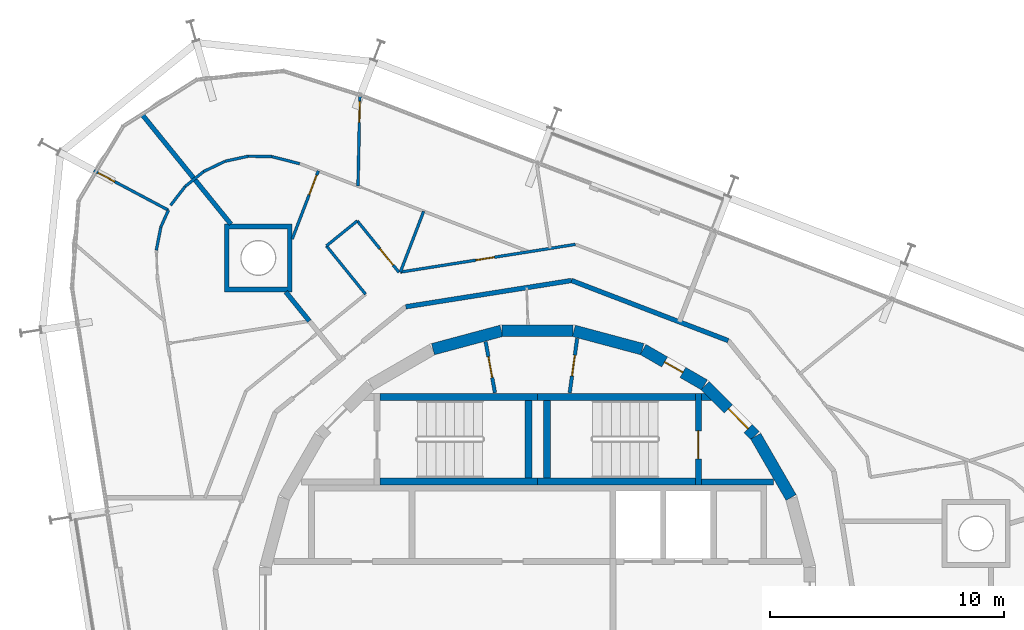
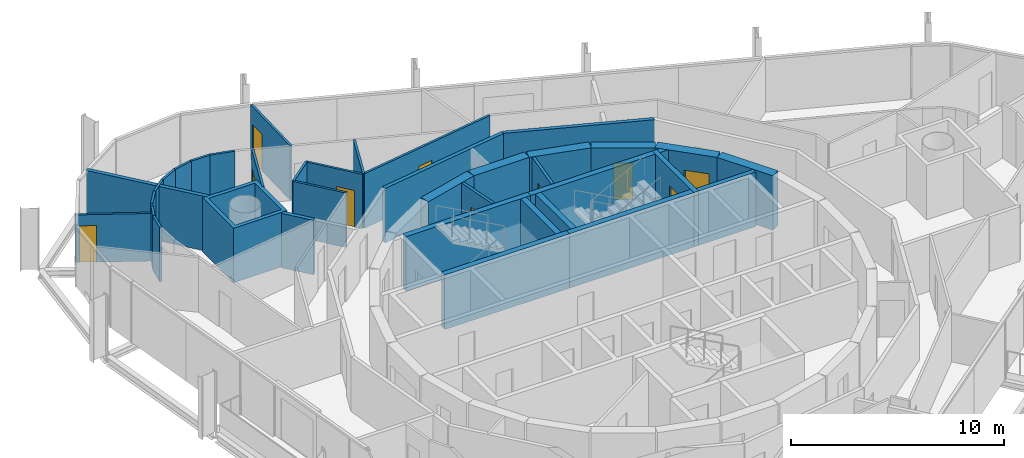
# One storey, part 15 of 17: 38 walls, 10 doors, 10 openings.
"""IFC4 building model written with IfcOpenShell, lengths in metres."""

import ifcopenshell
import ifcopenshell.guid

model = None  # the IFC model being written
_history = None  # IfcOwnerHistory: only IFC2X3 demands one
_inside = {}  # id of a spatial element -> (the spatial element, [elements in it])
_under = {}  # id of a project, library or spatial element -> (it, [spatial elements below it])
_declared = {}  # id of a project -> (the project, [libraries it declares])
_typed = {}  # id of a type object -> (the type object, [elements of that type])
_made_of = {}  # id of a material, layer set ... -> (it, [elements and type objects made of it])


def new_model(schema):
    """Start an empty IFC model of exactly this schema.

    Asked for "IFC4X3", IfcOpenShell would pick the latest addendum, in which some entities
    have other attributes; the version numbers below select the first issue.
    IFC2X3 requires an IfcOwnerHistory on every rooted entity: one is made here for all.
    """
    global model, _history
    if schema == "IFC4X3":
        model = ifcopenshell.file(schema_version=(4, 3, 0, 0))
    else:
        model = ifcopenshell.file(schema=schema)
    _inside.clear()
    _under.clear()
    _declared.clear()
    _typed.clear()
    _made_of.clear()
    _history = None
    if model.schema == "IFC2X3":
        org = make("IfcOrganization", Name="unknown")
        user = make(
            "IfcPersonAndOrganization",
            ThePerson=make("IfcPerson", FamilyName="unknown"),
            TheOrganization=org,
        )
        app = make(
            "IfcApplication",
            ApplicationDeveloper=org,
            Version="unknown",
            ApplicationFullName="unknown",
            ApplicationIdentifier="unknown",
        )
        _history = make(
            "IfcOwnerHistory",
            OwningUser=user,
            OwningApplication=app,
            ChangeAction="ADDED",
            CreationDate=0,
        )
    return model


def make(cls, **values):
    """One entity of the class cls with the attributes given. An attribute that is None is left unset."""
    return model.create_entity(
        cls, **{name: value for name, value in values.items() if value is not None}
    )


def rooted(cls, **values):
    """An entity with a GlobalId (a new one), such as an element, a storey or a relation."""
    return make(cls, GlobalId=ifcopenshell.guid.new(), OwnerHistory=_history, **values)


def si_unit(unit_type, name, prefix=None):
    """IfcSIUnit, for example si_unit("LENGTHUNIT", "METRE", prefix="MILLI")."""
    return make("IfcSIUnit", UnitType=unit_type, Prefix=prefix, Name=name)


def assignment(units):
    """IfcUnitAssignment: the units of a project."""
    return None if units is None else make("IfcUnitAssignment", Units=units)


def point(xyz):
    """IfcCartesianPoint."""
    return None if xyz is None else make("IfcCartesianPoint", Coordinates=xyz)


def direction(xyz):
    """IfcDirection."""
    return None if xyz is None else make("IfcDirection", DirectionRatios=xyz)


def frame(location, z_axis=None, x_axis=None):
    """IfcAxis2Placement3D, a coordinate frame: its origin and axes. An axis left out is left unset."""
    return make(
        "IfcAxis2Placement3D",
        Location=point(location),
        Axis=direction(z_axis),
        RefDirection=direction(x_axis),
    )


def frame_2d(location, x_axis=None):
    """IfcAxis2Placement2D, a coordinate frame in the plane: its origin and x axis."""
    return make(
        "IfcAxis2Placement2D", Location=point(location), RefDirection=direction(x_axis)
    )


def origin():
    """The frame at (0, 0, 0) with its axes left unset."""
    return frame((0.0, 0.0, 0.0))


def place(relative_to, where):
    """IfcLocalPlacement: puts the frame where relative to a parent placement (None: the world)."""
    return make(
        "IfcLocalPlacement", PlacementRelTo=relative_to, RelativePlacement=where
    )


def context(
    kind, dimensions, precision=None, world=None, true_north=None, identifier=None
):
    """IfcGeometricRepresentationContext, for example the 3D "Model" context."""
    return make(
        "IfcGeometricRepresentationContext",
        ContextIdentifier=identifier,
        ContextType=kind,
        CoordinateSpaceDimension=dimensions,
        Precision=precision,
        WorldCoordinateSystem=world,
        TrueNorth=true_north,
    )


def subcontext(parent, identifier, kind, view, scale=None):
    """IfcGeometricRepresentationSubContext, for example "Body" below "Model"."""
    return make(
        "IfcGeometricRepresentationSubContext",
        ContextIdentifier=identifier,
        ContextType=kind,
        ParentContext=parent,
        TargetScale=scale,
        TargetView=view,
    )


def project(units=None, contexts=None):
    """IfcProject with its units and contexts."""
    return rooted(
        "IfcProject",
        Name="project",
        RepresentationContexts=contexts,
        UnitsInContext=assignment(units),
    )


def spatial(cls, under=None, at=None, **own):
    """A site, building, storey or space (cls), placed at a placement, below another one or the project."""
    s = rooted(cls, ObjectPlacement=at, **own)
    if under is not None:
        _under.setdefault(under.id(), (under, []))[1].append(s)
    return s


def polyline(points):
    """IfcPolyline through the points."""
    return make("IfcPolyline", Points=[point(p) for p in points])


def profile(cls, at=None, kind="AREA", **sizes):
    """A parametric profile (cls). Its sizes go by their IFC names, for example OverallWidth=200.0."""
    return make(cls, ProfileType=kind, Position=at, **sizes)


def rectangle(**sizes):
    """IfcRectangleProfileDef."""
    return profile("IfcRectangleProfileDef", **sizes)


def outline(outer, holes=None, kind="AREA"):
    """IfcArbitraryClosedProfileDef: a profile drawn as a closed curve; with holes, ...WithVoids."""
    if holes is None:
        return make("IfcArbitraryClosedProfileDef", ProfileType=kind, OuterCurve=outer)
    return make(
        "IfcArbitraryProfileDefWithVoids",
        ProfileType=kind,
        OuterCurve=outer,
        InnerCurves=holes,
    )


def extrude(swept, where, along, depth):
    """IfcExtrudedAreaSolid: the profile swept, set in the frame where, extruded along a direction by depth."""
    return make(
        "IfcExtrudedAreaSolid",
        SweptArea=swept,
        Position=where,
        ExtrudedDirection=direction(along),
        Depth=depth,
    )


def shape(context_of_items, identifier, shape_type, items):
    """IfcShapeRepresentation: the items that make up one representation, for example the "Body"."""
    return make(
        "IfcShapeRepresentation",
        ContextOfItems=context_of_items,
        RepresentationIdentifier=identifier,
        RepresentationType=shape_type,
        Items=items,
    )


def material(Name=None, Category=None):
    """IfcMaterial."""
    return make("IfcMaterial", Name=Name, Category=Category)


def layer(
    of_material, thickness, ventilated=None, Name=None, Category=None, Priority=None
):
    """IfcMaterialLayer: one layer of a wall or slab, of a material (None: an air gap)."""
    return make(
        "IfcMaterialLayer",
        Material=of_material,
        LayerThickness=thickness,
        IsVentilated=ventilated,
        Name=Name,
        Category=Category,
        Priority=Priority,
    )


def layer_set(layers, Name=None):
    """IfcMaterialLayerSet."""
    return make("IfcMaterialLayerSet", MaterialLayers=layers, LayerSetName=Name)


def made_of(thing, what):
    """Note that an element or type object is made of a material, layer set ...; save() writes the relation."""
    if what is not None:
        _made_of.setdefault(what.id(), (what, []))[1].append(thing)
    return thing


def type_object(cls, material=None, **own):
    """A type object (cls), such as IfcWallType, which elements share."""
    return made_of(rooted(cls, **own), material)


def element(
    cls,
    number,
    at=None,
    inside=None,
    cuts=None,
    type_object=None,
    material=None,
    context=None,
    identifier="Body",
    shape_type=None,
    held_by="IfcProductDefinitionShape",
    body=None,
    shapes=None,
    **own,
):
    """One element of the class cls, such as IfcWall. Its Tag is "e" and its number.

    at: its placement. inside: the storey or other place that contains it. cuts: it is an
    opening in that element (IfcRelVoidsElement). A single representation is given by context,
    identifier, shape_type and body (its items); several are given by shapes. held_by: the class
    of the entity that holds the representations. save() writes the other relations.
    """
    e = rooted(cls, Tag="e%d" % number, ObjectPlacement=at, **own)
    if body is not None:
        shapes = [shape(context, identifier, shape_type, body)]
    if shapes is not None:
        e.Representation = make(held_by, Representations=shapes)
    if inside is not None:
        _inside.setdefault(inside.id(), (inside, []))[1].append(e)
    if cuts is not None:
        rooted(
            "IfcRelVoidsElement", RelatingBuildingElement=cuts, RelatedOpeningElement=e
        )
    if type_object is not None:
        _typed.setdefault(type_object.id(), (type_object, []))[1].append(e)
    return made_of(e, material)


def fill(opening, filler):
    """IfcRelFillsElement: the door or window that sits in an opening."""
    return rooted(
        "IfcRelFillsElement",
        RelatingOpeningElement=opening,
        RelatedBuildingElement=filler,
    )


def aggregate(whole, parts):
    """IfcRelAggregates: a whole, such as a stair, and the parts it consists of."""
    return rooted("IfcRelAggregates", RelatingObject=whole, RelatedObjects=parts)


def save(model, path):
    """Write the relations noted so far, then the file.

    IfcRelAggregates (storeys below a building ...), IfcRelContainedInSpatialStructure (elements
    in a storey), IfcRelDefinesByType, IfcRelAssociatesMaterial and IfcRelDeclares: one each for
    every whole, place, type object, material and project.
    """
    for whole, parts in _under.values():
        aggregate(whole, parts)
    for where, things in _inside.values():
        rooted(
            "IfcRelContainedInSpatialStructure",
            RelatedElements=things,
            RelatingStructure=where,
        )
    for kind, things in _typed.values():
        rooted("IfcRelDefinesByType", RelatedObjects=things, RelatingType=kind)
    for what, things in _made_of.values():
        rooted("IfcRelAssociatesMaterial", RelatedObjects=things, RelatingMaterial=what)
    for by, libraries in _declared.values():
        rooted("IfcRelDeclares", RelatingContext=by, RelatedDefinitions=libraries)
    model.write(path)


model = new_model("IFC4")

# Units and contexts
model_context = context("Model", 3, precision=1e-05, world=origin(), true_north=direction((0.0, 1.0)))
body_context = subcontext(model_context, "Body", "Model", "MODEL_VIEW")
ifc_project = project(units=[si_unit("LENGTHUNIT", "METRE"), si_unit("AREAUNIT", "SQUARE_METRE"), si_unit("VOLUMEUNIT", "CUBIC_METRE"), si_unit("PLANEANGLEUNIT", "RADIAN"), si_unit("MASSUNIT", "GRAM", prefix="KILO")], contexts=[model_context])

# Site, building, storey
site_placement = place(None, origin())
site = spatial("IfcSite", under=ifc_project, at=site_placement, CompositionType="ELEMENT")
building_placement = place(site_placement, origin())
building = spatial("IfcBuilding", under=site, at=building_placement, Name="Spindle Arch Residences", CompositionType="ELEMENT")
storey_placement = place(building_placement, frame((0.0, 0.0, 284.39990234375)))
storey = spatial("IfcBuildingStorey", under=building, at=storey_placement, Name="L73", CompositionType="ELEMENT", Elevation=284.39990234375)

# Wall
ifc_material_1 = material(Name="Concrete C50/60", Category="concrete")
ifc_layer_1 = layer(ifc_material_1, 0.5)
ifc_layer_set_1 = layer_set([ifc_layer_1], Name="Core outline wall 500")
wall_type_1 = type_object("IfcWallType", Name="Core outline wall 500", PredefinedType="SHEAR", material=ifc_layer_set_1)
wall_1_placement = place(storey_placement, frame((10.84521484375, 4.510498046875, 0.0), z_axis=(0.0, 0.0, 1.0), x_axis=(-0.500087131594, 0.865975092491, 0.0)))
element("IfcWall", 1, at=wall_1_placement, inside=storey, type_object=wall_type_1, Name="Core outline wall 8", PredefinedType="SHEAR", context=body_context, shape_type="SweptSolid", body=[
    extrude(rectangle(XDim=3.03271484375, YDim=0.5, at=frame_2d((1.516357421875, 0.0))), origin(), (0.0, 0.0, 1.0), 3.1201171875),
])

# Wall, opening, door
wall_2_placement = place(storey_placement, frame((9.30810546875, 7.163818359375, 0.0), z_axis=(0.0, 0.0, 1.0), x_axis=(-0.707106781187, 0.707106781187, 0.0)))
wall_2 = element("IfcWall", 2, at=wall_2_placement, inside=storey, type_object=wall_type_1, Name="Core outline wall 9", PredefinedType="SHEAR", context=body_context, shape_type="SweptSolid", body=[
    extrude(rectangle(XDim=3.032470703125, YDim=0.5, at=frame_2d((1.51611328125, 0.0))), origin(), (0.0, 0.0, 1.0), 3.1201171875),
])
opening_1_placement = place(wall_2_placement, frame((0.416259765625, 0.0, 0.0)))
opening_1 = element("IfcOpeningElement", 3, at=opening_1_placement, cuts=wall_2, Name="Opening R7C0-AD01", PredefinedType="OPENING", context=body_context, shape_type="SweptSolid", body=[
    extrude(rectangle(XDim=1.199951171875, YDim=2.10009765625, at=frame_2d((0.60009765625, 1.050048828125))), frame((0.0, 0.260009765625, 0.0), z_axis=(0.0, -1.0, 0.0), x_axis=(1.0, 0.0, 0.0)), (0.0, 0.0, 1.0), 0.52001953125),
])
ifc_material_2 = material(Name="Steel, fire-resisting door", Category="steel")
door_type_1 = type_object("IfcDoorType", Name="Stair airlock door 1200x2100", OperationType="SINGLE_SWING_LEFT", PredefinedType="DOOR", material=ifc_material_2)
door_1_placement = place(opening_1_placement, origin())
door_1 = element("IfcDoor", 4, at=door_1_placement, inside=storey, type_object=door_type_1, Name="Stair airlock door R7C0-AD01", OperationType="SINGLE_SWING_RIGHT", OverallHeight=2.10009765625, OverallWidth=1.199951171875, PredefinedType="DOOR", context=body_context, shape_type="SweptSolid", body=[
    extrude(rectangle(XDim=1.199951171875, YDim=2.10009765625, at=frame_2d((0.60009765625, 1.050048828125))), frame((0.0, 0.02490234375, 0.0), z_axis=(0.0, -1.0, 0.0), x_axis=(1.0, 0.0, 0.0)), (0.0, 0.0, 1.0), 0.050048828125),
])
fill(opening_1, door_1)

wall_3_placement = place(storey_placement, frame((7.13671875, 9.32861328125, 0.0), z_axis=(0.0, 0.0, 1.0), x_axis=(-0.865975092491, 0.500087131594, 0.0)))
wall_3 = element("IfcWall", 5, at=wall_3_placement, inside=storey, type_object=wall_type_1, Name="Core outline wall 10", PredefinedType="SHEAR", context=body_context, shape_type="SweptSolid", body=[
    extrude(rectangle(XDim=3.03271484375, YDim=0.5, at=frame_2d((1.516357421875, 0.0))), origin(), (0.0, 0.0, 1.0), 3.1201171875),
])
opening_2_placement = place(wall_3_placement, frame((1.06640625, 0.0, 0.0)))
opening_2 = element("IfcOpeningElement", 6, at=opening_2_placement, cuts=wall_3, Name="Opening R7C0-WD11", PredefinedType="OPENING", context=body_context, shape_type="SweptSolid", body=[
    extrude(rectangle(XDim=0.89990234375, YDim=2.10009765625, at=frame_2d((0.449951171875, 1.050048828125))), frame((0.0, 0.260009765625, 0.0), z_axis=(0.0, -1.0, 0.0), x_axis=(1.0, 0.0, 0.0)), (0.0, 0.0, 1.0), 0.52001953125),
])
ifc_material_3 = material(Name="Steel, fire-resisting door", Category="steel")
door_type_2 = type_object("IfcDoorType", Name="Service room door 900x2100", OperationType="SINGLE_SWING_LEFT", PredefinedType="DOOR", material=ifc_material_3)
door_2_placement = place(opening_2_placement, origin())
door_2 = element("IfcDoor", 7, at=door_2_placement, inside=storey, type_object=door_type_2, Name="Service room door R7C0-WD11", OperationType="SINGLE_SWING_LEFT", OverallHeight=2.10009765625, OverallWidth=0.89990234375, PredefinedType="DOOR", context=body_context, shape_type="SweptSolid", body=[
    extrude(rectangle(XDim=0.89990234375, YDim=2.10009765625, at=frame_2d((0.449951171875, 1.050048828125))), frame((0.0, 0.02490234375, 0.0), z_axis=(0.0, -1.0, 0.0), x_axis=(1.0, 0.0, 0.0)), (0.0, 0.0, 1.0), 0.050048828125),
])
fill(opening_2, door_2)

# Walls
for number, where, z_axis, x_axis, name in (
    (8, (4.479248046875, 10.858154296875, 0.0), (0.0, 0.0, 1.0), (-0.965948410781, 0.258734743916, 0.0), "Core outline wall 11"),
    (9, (1.516357421875, 11.647216796875, 0.0), (0.0, 0.0, 1.0), (-1.0, 0.0, 0.0), "Core outline wall 12"),
    (10, (-1.5498046875, 11.642822265625, 0.0), (0.0, 0.0, 1.0), (-0.965948410781, -0.258734743916, 0.0), "Core outline wall 13"),
):
    element("IfcWall", number, at=place(storey_placement, frame(where, z_axis=z_axis, x_axis=x_axis)), inside=storey, type_object=wall_type_1, Name=name, PredefinedType="SHEAR", context=body_context, shape_type="SweptSolid", body=[
        extrude(rectangle(XDim=3.03271484375, YDim=0.5, at=frame_2d((1.516357421875, 0.0))), origin(), (0.0, 0.0, 1.0), 3.1201171875),
    ])
ifc_material_4 = material(Name="Calcium silicate block, plastered")
ifc_layer_2 = layer(ifc_material_4, 0.199951171875)
ifc_layer_set_2 = layer_set([ifc_layer_2], Name="Corridor wall 200")
wall_type_2 = type_object("IfcWallType", Name="Corridor wall 200", PredefinedType="STANDARD", material=ifc_layer_set_2)
wall_4_placement = place(storey_placement, frame((8.154296875, 11.223388671875, 0.0), z_axis=(0.0, 0.0, 1.0), x_axis=(-0.93359073609, 0.358341090983, 0.0)))
element("IfcWall", 11, at=wall_4_placement, inside=storey, type_object=wall_type_2, Name="Corridor wall R7C0-W007", PredefinedType="STANDARD", context=body_context, shape_type="SweptSolid", body=[
    extrude(rectangle(XDim=7.180908203125, YDim=0.199951171875, at=frame_2d((3.59033203125, 0.0))), origin(), (0.0, 0.0, 1.0), 3.1201171875),
])
wall_5_placement = place(storey_placement, frame((1.4501953125, 13.796630859375, 0.0), z_axis=(0.0, 0.0, 1.0), x_axis=(-0.987690361611, -0.156421704315, 0.0)))
element("IfcWall", 12, at=wall_5_placement, inside=storey, type_object=wall_type_2, Name="Corridor wall R7C0-W008", PredefinedType="STANDARD", context=body_context, shape_type="SweptSolid", body=[
    extrude(rectangle(XDim=7.18115234375, YDim=0.199951171875, at=frame_2d((3.590576171875, 0.0))), origin(), (0.0, 0.0, 1.0), 3.1201171875),
])

# Wall, opening, door
ifc_material_5 = material(Name="Plasterboard on steel studs", Category="steel")
ifc_layer_3 = layer(ifc_material_5, 0.1201171875)
ifc_layer_set_3 = layer_set([ifc_layer_3], Name="Flat partition 120")
wall_type_3 = type_object("IfcWallType", Name="Flat partition 120", PredefinedType="PARTITIONING", material=ifc_layer_set_3)
wall_6_placement = place(storey_placement, frame((1.6123046875, 15.341064453125, 0.0), z_axis=(0.0, 0.0, 1.0), x_axis=(-0.987690790621, -0.156418995404, 0.0)))
wall_6 = element("IfcWall", 13, at=wall_6_placement, inside=storey, type_object=wall_type_3, Name="Flat partition R7C0-W043", PredefinedType="PARTITIONING", context=body_context, shape_type="SweptSolid", body=[
    extrude(rectangle(XDim=7.580810546875, YDim=0.1201171875, at=frame_2d((3.79052734375, 0.0))), origin(), (0.0, 0.0, 1.0), 3.1201171875),
])
opening_3_placement = place(wall_6_placement, frame((3.5068359375, 0.0, 0.0)))
opening_3 = element("IfcOpeningElement", 14, at=opening_3_placement, cuts=wall_6, Name="Opening R7C0-BD02", PredefinedType="OPENING", context=body_context, shape_type="SweptSolid", body=[
    extrude(rectangle(XDim=0.800048828125, YDim=2.10009765625, at=frame_2d((0.39990234375, 1.050048828125))), frame((0.0, 0.070068359375, 0.0), z_axis=(0.0, -1.0, 0.0), x_axis=(1.0, 0.0, 0.0)), (0.0, 0.0, 1.0), 0.14013671875),
])
ifc_material_6 = material(Name="Timber door set", Category="wood")
door_type_3 = type_object("IfcDoorType", Name="Bathroom door 800x2100", OperationType="NOTDEFINED", PredefinedType="DOOR", material=ifc_material_6)
door_3_placement = place(opening_3_placement, origin())
door_3 = element("IfcDoor", 15, at=door_3_placement, inside=storey, type_object=door_type_3, Name="Bathroom door R7C0-BD02", OperationType="SINGLE_SWING_RIGHT", OverallHeight=2.10009765625, OverallWidth=0.800048828125, PredefinedType="DOOR", context=body_context, shape_type="SweptSolid", body=[
    extrude(rectangle(XDim=0.800048828125, YDim=2.10009765625, at=frame_2d((0.39990234375, 1.050048828125))), frame((0.0, 0.02490234375, 0.0), z_axis=(0.0, -1.0, 0.0), x_axis=(1.0, 0.0, 0.0)), (0.0, 0.0, 1.0), 0.050048828125),
])
fill(opening_3, door_3)

wall_7_placement = place(storey_placement, frame((-5.933349609375, 14.14599609375, 0.0), z_axis=(0.0, 0.0, 1.0), x_axis=(-0.62930727886, 0.777156579316, 0.0)))
wall_7 = element("IfcWall", 16, at=wall_7_placement, inside=storey, type_object=wall_type_3, Name="Flat partition R7C0-W044", PredefinedType="PARTITIONING", context=body_context, shape_type="SweptSolid", body=[
    extrude(rectangle(XDim=2.83349609375, YDim=0.1201171875, at=frame_2d((1.416748046875, 0.0))), origin(), (0.0, 0.0, 1.0), 3.1201171875),
])
opening_4_placement = place(wall_7_placement, frame((0.39990234375, 0.0, 0.0)))
opening_4 = element("IfcOpeningElement", 17, at=opening_4_placement, cuts=wall_7, Name="Opening R7C0-ID05", PredefinedType="OPENING", context=body_context, shape_type="SweptSolid", body=[
    extrude(rectangle(XDim=0.89990234375, YDim=2.10009765625, at=frame_2d((0.449951171875, 1.050048828125))), frame((0.0, 0.070068359375, 0.0), z_axis=(0.0, -1.0, 0.0), x_axis=(1.0, 0.0, 0.0)), (0.0, 0.0, 1.0), 0.14013671875),
])
ifc_material_7 = material(Name="Timber door set", Category="wood")
door_type_4 = type_object("IfcDoorType", Name="Room door 900x2100", OperationType="NOTDEFINED", PredefinedType="DOOR", material=ifc_material_7)
door_4_placement = place(opening_4_placement, origin())
door_4 = element("IfcDoor", 18, at=door_4_placement, inside=storey, type_object=door_type_4, Name="Room door R7C0-ID05", OperationType="SINGLE_SWING_RIGHT", OverallHeight=2.10009765625, OverallWidth=0.89990234375, PredefinedType="DOOR", context=body_context, shape_type="SweptSolid", body=[
    extrude(rectangle(XDim=0.89990234375, YDim=2.10009765625, at=frame_2d((0.449951171875, 1.050048828125))), frame((0.0, 0.02490234375, 0.0), z_axis=(0.0, -1.0, 0.0), x_axis=(1.0, 0.0, 0.0)), (0.0, 0.0, 1.0), 0.050048828125),
])
fill(opening_4, door_4)

# Walls
wall_8_placement = place(storey_placement, frame((-7.716552734375, 16.34814453125, 0.0), z_axis=(0.0, 0.0, 1.0), x_axis=(-0.777184671515, -0.629272585103, 0.0)))
element("IfcWall", 19, at=wall_8_placement, inside=storey, type_object=wall_type_3, Name="Flat partition R7C0-W045", PredefinedType="PARTITIONING", context=body_context, shape_type="SweptSolid", body=[
    extrude(rectangle(XDim=1.7001953125, YDim=0.1201171875, at=frame_2d((0.85009765625, 0.0))), origin(), (0.0, 0.0, 1.0), 3.1201171875),
])
wall_9_placement = place(storey_placement, frame((-9.037841796875, 15.2783203125, 0.0), z_axis=(0.0, 0.0, 1.0), x_axis=(0.629338090938, -0.777131628037, 0.0)))
element("IfcWall", 20, at=wall_9_placement, inside=storey, type_object=wall_type_3, Name="Flat partition R7C0-W046", PredefinedType="PARTITIONING", context=body_context, shape_type="SweptSolid", body=[
    extrude(rectangle(XDim=2.6611328125, YDim=0.1201171875, at=frame_2d((1.33056640625, 0.0))), origin(), (0.0, 0.0, 1.0), 3.1201171875),
])

# Wall, opening, door
wall_10_placement = place(storey_placement, frame((-7.6064453125, 21.6611328125, 0.0), z_axis=(0.0, 0.0, 1.0), x_axis=(-0.020735808663, -0.999784990005, 0.0)))
wall_10 = element("IfcWall", 21, at=wall_10_placement, inside=storey, type_object=wall_type_3, Name="Flat partition R7C0-W050", PredefinedType="PARTITIONING", context=body_context, shape_type="SweptSolid", body=[
    extrude(rectangle(XDim=3.826416015625, YDim=0.1201171875, at=frame_2d((1.9130859375, 0.0))), origin(), (0.0, 0.0, 1.0), 3.1201171875),
])
opening_5_placement = place(wall_10_placement, frame((0.199951171875, 0.0, 0.0)))
opening_5 = element("IfcOpeningElement", 22, at=opening_5_placement, cuts=wall_10, Name="Opening R7C0-ID08", PredefinedType="OPENING", context=body_context, shape_type="SweptSolid", body=[
    extrude(rectangle(XDim=0.89990234375, YDim=2.10009765625, at=frame_2d((0.449951171875, 1.050048828125))), frame((0.0, 0.070068359375, 0.0), z_axis=(0.0, -1.0, 0.0), x_axis=(1.0, 0.0, 0.0)), (0.0, 0.0, 1.0), 0.14013671875),
])
door_5_placement = place(opening_5_placement, origin())
door_5 = element("IfcDoor", 23, at=door_5_placement, inside=storey, type_object=door_type_4, Name="Room door R7C0-ID08", OperationType="SINGLE_SWING_RIGHT", OverallHeight=2.10009765625, OverallWidth=0.89990234375, PredefinedType="DOOR", context=body_context, shape_type="SweptSolid", body=[
    extrude(rectangle(XDim=0.89990234375, YDim=2.10009765625, at=frame_2d((0.449951171875, 1.050048828125))), frame((0.0, 0.02490234375, 0.0), z_axis=(0.0, -1.0, 0.0), x_axis=(1.0, 0.0, 0.0)), (0.0, 0.0, 1.0), 0.050048828125),
])
fill(opening_5, door_5)

# Wall
wall_11_placement = place(storey_placement, frame((-4.87646484375, 16.757080078125, 0.0), z_axis=(0.0, 0.0, 1.0), x_axis=(-0.358380240487, -0.933575708354, 0.0)))
element("IfcWall", 24, at=wall_11_placement, inside=storey, type_object=wall_type_3, Name="Flat partition R7C0-W051", PredefinedType="PARTITIONING", context=body_context, shape_type="SweptSolid", body=[
    extrude(rectangle(XDim=2.786865234375, YDim=0.1201171875, at=frame_2d((1.3935546875, 0.0))), origin(), (0.0, 0.0, 1.0), 3.1201171875),
])

# Wall, opening, door
wall_12_placement = place(storey_placement, frame((-9.383056640625, 18.487060546875, 0.0), z_axis=(0.0, 0.0, 1.0), x_axis=(-0.358340198137, -0.933591078792, 0.0)))
wall_12 = element("IfcWall", 25, at=wall_12_placement, inside=storey, type_object=wall_type_3, Name="Flat partition R7C0-W052", PredefinedType="PARTITIONING", context=body_context, shape_type="SweptSolid", body=[
    extrude(rectangle(XDim=3.12451171875, YDim=0.1201171875, at=frame_2d((1.562255859375, 0.0))), origin(), (0.0, 0.0, 1.0), 3.1201171875),
])
opening_6_placement = place(wall_12_placement, frame((0.199951171875, 0.0, 0.0)))
opening_6 = element("IfcOpeningElement", 26, at=opening_6_placement, cuts=wall_12, Name="Opening R7C0-ID07", PredefinedType="OPENING", context=body_context, shape_type="SweptSolid", body=[
    extrude(rectangle(XDim=0.89990234375, YDim=2.10009765625, at=frame_2d((0.449951171875, 1.050048828125))), frame((0.0, 0.070068359375, 0.0), z_axis=(0.0, -1.0, 0.0), x_axis=(1.0, 0.0, 0.0)), (0.0, 0.0, 1.0), 0.14013671875),
])
door_6_placement = place(opening_6_placement, origin())
door_6 = element("IfcDoor", 27, at=door_6_placement, inside=storey, type_object=door_type_4, Name="Room door R7C0-ID07", OperationType="SINGLE_SWING_RIGHT", OverallHeight=2.10009765625, OverallWidth=0.89990234375, PredefinedType="DOOR", context=body_context, shape_type="SweptSolid", body=[
    extrude(rectangle(XDim=0.89990234375, YDim=2.10009765625, at=frame_2d((0.449951171875, 1.050048828125))), frame((0.0, 0.02490234375, 0.0), z_axis=(0.0, -1.0, 0.0), x_axis=(1.0, 0.0, 0.0)), (0.0, 0.0, 1.0), 0.050048828125),
])
fill(opening_6, door_6)

# Walls
for number, where, z_axis, x_axis, name in (
    (28, (-15.08251953125, 17.818115234375, 0.0), (0.0, 0.0, 1.0), (0.777127341008, 0.629343384694, 0.0), "Flat partition R7C0-W053"),
    (29, (-14.29296875, 18.45751953125, 0.0), (0.0, 0.0, 1.0), (0.901241595267, 0.433316959004, 0.0), "Flat partition R7C0-W054"),
):
    element("IfcWall", number, at=place(storey_placement, frame(where, z_axis=z_axis, x_axis=x_axis)), inside=storey, type_object=wall_type_3, Name=name, PredefinedType="PARTITIONING", context=body_context, shape_type="SweptSolid", body=[
        extrude(rectangle(XDim=1.015869140625, YDim=0.1201171875, at=frame_2d((0.5078125, 0.0))), origin(), (0.0, 0.0, 1.0), 3.1201171875),
    ])
wall_13_placement = place(storey_placement, frame((-13.37744140625, 18.897705078125, 0.0), z_axis=(0.0, 0.0, 1.0), x_axis=(0.976972067705, 0.213367239577, 0.0)))
element("IfcWall", 30, at=wall_13_placement, inside=storey, type_object=wall_type_3, Name="Flat partition R7C0-W055", PredefinedType="PARTITIONING", context=body_context, shape_type="SweptSolid", body=[
    extrude(rectangle(XDim=1.01611328125, YDim=0.1201171875, at=frame_2d((0.508056640625, 0.0))), origin(), (0.0, 0.0, 1.0), 3.1201171875),
])
wall_14_placement = place(storey_placement, frame((-12.384765625, 19.114501953125, 0.0), z_axis=(0.0, 0.0, 1.0), x_axis=(0.999850255535, -0.017305100577, 0.0)))
element("IfcWall", 31, at=wall_14_placement, inside=storey, type_object=wall_type_3, Name="Flat partition R7C0-W056", PredefinedType="PARTITIONING", context=body_context, shape_type="SweptSolid", body=[
    extrude(rectangle(XDim=1.015869140625, YDim=0.1201171875, at=frame_2d((0.5078125, 0.0))), origin(), (0.0, 0.0, 1.0), 3.1201171875),
])
wall_15_placement = place(storey_placement, frame((-11.369140625, 19.096923828125, 0.0), z_axis=(0.0, 0.0, 1.0), x_axis=(0.968877104853, -0.247542230117, 0.0)))
element("IfcWall", 32, at=wall_15_placement, inside=storey, type_object=wall_type_3, Name="Flat partition R7C0-W057", PredefinedType="PARTITIONING", context=body_context, shape_type="SweptSolid", body=[
    extrude(rectangle(XDim=1.226806640625, YDim=0.1201171875, at=frame_2d((0.61328125, 0.0))), origin(), (0.0, 0.0, 1.0), 3.1201171875),
])
wall_16_placement = place(storey_placement, frame((-15.703369140625, 17.013916015625, 0.0), z_axis=(0.0, 0.0, 1.0), x_axis=(0.611091802574, 0.791559731686, 0.0)))
element("IfcWall", 33, at=wall_16_placement, inside=storey, type_object=wall_type_3, Name="Flat partition R7C0-W059", PredefinedType="PARTITIONING", context=body_context, shape_type="SweptSolid", body=[
    extrude(rectangle(XDim=1.015869140625, YDim=0.1201171875, at=frame_2d((0.5078125, 0.0))), origin(), (0.0, 0.0, 1.0), 3.1201171875),
])
wall_17_placement = place(storey_placement, frame((-15.7978515625, 16.80517578125, 0.0), z_axis=(0.0, 0.0, 1.0), x_axis=(-0.411861127809, -0.911246624904, 0.0)))
element("IfcWall", 34, at=wall_17_placement, inside=storey, type_object=wall_type_3, Name="Flat partition R7C0-W061", PredefinedType="PARTITIONING", context=body_context, shape_type="SweptSolid", body=[
    extrude(rectangle(XDim=0.78662109375, YDim=0.1201171875, at=frame_2d((0.393310546875, 0.0))), origin(), (0.0, 0.0, 1.0), 3.1201171875),
])
wall_18_placement = place(storey_placement, frame((-16.121826171875, 16.08837890625, 0.0), z_axis=(0.0, 0.0, 1.0), x_axis=(-0.191030445301, -0.981584112019, 0.0)))
element("IfcWall", 35, at=wall_18_placement, inside=storey, type_object=wall_type_3, Name="Flat partition R7C0-W062", PredefinedType="PARTITIONING", context=body_context, shape_type="SweptSolid", body=[
    extrude(rectangle(XDim=1.01611328125, YDim=0.1201171875, at=frame_2d((0.508056640625, 0.0))), origin(), (0.0, 0.0, 1.0), 3.1201171875),
])

# Wall, opening, door
ifc_material_8 = material(Name="Plasterboard on steel studs", Category="steel")
ifc_layer_4 = layer(ifc_material_8, 0.1201171875)
ifc_layer_set_4 = layer_set([ifc_layer_4], Name="Flat partition 120 under beam 2730")
wall_type_4 = type_object("IfcWallType", Name="Flat partition 120 under beam 2730", PredefinedType="PARTITIONING", material=ifc_layer_set_4)
wall_19_placement = place(storey_placement, frame((-18.98291015625, 18.498779296875, 0.0), z_axis=(0.0, 0.0, 1.0), x_axis=(0.882938650306, -0.469488380896, 0.0)))
wall_19 = element("IfcWall", 36, at=wall_19_placement, inside=storey, type_object=wall_type_4, Name="Flat partition R7C0-W060", PredefinedType="PARTITIONING", context=body_context, shape_type="SweptSolid", body=[
    extrude(rectangle(XDim=3.607421875, YDim=0.1201171875, at=frame_2d((1.8037109375, 0.0))), origin(), (0.0, 0.0, 1.0), 2.72998046875),
])
opening_7_placement = place(wall_19_placement, frame((0.199951171875, 0.0, 0.0)))
opening_7 = element("IfcOpeningElement", 37, at=opening_7_placement, cuts=wall_19, Name="Opening R7C0-BD03", PredefinedType="OPENING", context=body_context, shape_type="SweptSolid", body=[
    extrude(rectangle(XDim=0.800048828125, YDim=2.10009765625, at=frame_2d((0.39990234375, 1.050048828125))), frame((0.0, 0.070068359375, 0.0), z_axis=(0.0, -1.0, 0.0), x_axis=(1.0, 0.0, 0.0)), (0.0, 0.0, 1.0), 0.14013671875),
])
door_7_placement = place(opening_7_placement, origin())
door_7 = element("IfcDoor", 38, at=door_7_placement, inside=storey, type_object=door_type_3, Name="Bathroom door R7C0-BD03", OperationType="SINGLE_SWING_LEFT", OverallHeight=2.10009765625, OverallWidth=0.800048828125, PredefinedType="DOOR", context=body_context, shape_type="SweptSolid", body=[
    extrude(rectangle(XDim=0.800048828125, YDim=2.10009765625, at=frame_2d((0.39990234375, 1.050048828125))), frame((0.0, 0.02490234375, 0.0), z_axis=(0.0, -1.0, 0.0), x_axis=(1.0, 0.0, 0.0)), (0.0, 0.0, 1.0), 0.050048828125),
])
fill(opening_7, door_7)

# Walls
ifc_material_9 = material(Name="Calcium silicate block, plastered")
ifc_layer_5 = layer(ifc_material_9, 0.199951171875)
ifc_layer_set_5 = layer_set([ifc_layer_5], Name="Flat party wall 200")
wall_type_5 = type_object("IfcWallType", Name="Flat party wall 200", PredefinedType="STANDARD", material=ifc_layer_set_5)
wall_20_placement = place(storey_placement, frame((-10.778564453125, 13.310546875, 0.0), z_axis=(0.0, 0.0, 1.0), x_axis=(0.629373100483, -0.77710327524, 0.0)))
element("IfcWall", 39, at=wall_20_placement, inside=storey, type_object=wall_type_5, Name="Flat party wall R7C0-W025", PredefinedType="STANDARD", context=body_context, shape_type="SweptSolid", body=[
    extrude(rectangle(XDim=1.6064453125, YDim=0.199951171875, at=frame_2d((0.80322265625, 0.0))), origin(), (0.0, 0.0, 1.0), 3.1201171875),
])
wall_21_placement = place(storey_placement, frame((-16.953369140625, 20.935546875, 0.0), z_axis=(0.0, 0.0, 1.0), x_axis=(0.629331057166, -0.777137324085, 0.0)))
element("IfcWall", 40, at=wall_21_placement, inside=storey, type_object=wall_type_5, Name="Flat party wall R7C0-W026", PredefinedType="STANDARD", context=body_context, shape_type="SweptSolid", body=[
    extrude(rectangle(XDim=6.080078125, YDim=0.199951171875, at=frame_2d((3.0400390625, 0.0))), origin(), (0.0, 0.0, 1.0), 3.1201171875),
])
ifc_material_10 = material(Name="Calcium silicate block, plastered")
ifc_layer_6 = layer(ifc_material_10, 0.199951171875)
ifc_layer_set_6 = layer_set([ifc_layer_6], Name="Mega-column casing wall 200")
wall_type_6 = type_object("IfcWallType", Name="Mega-column casing wall 200", PredefinedType="STANDARD", material=ifc_layer_set_6)
wall_22_placement = place(storey_placement, origin())
element("IfcWall", 41, at=wall_22_placement, inside=storey, type_object=wall_type_6, Name="Mega-column casing wall R7C0-WC02", PredefinedType="STANDARD", context=body_context, shape_type="SweptSolid", body=[
    extrude(outline(polyline([(-10.502685546875, 16.21044921875), (-10.502685546875, 13.310546875), (-13.40283203125, 13.310546875), (-13.40283203125, 16.21044921875), (-10.502685546875, 16.21044921875)]), holes=[polyline([(-13.202880859375, 13.510498046875), (-10.702880859375, 13.510498046875), (-10.702880859375, 16.010498046875), (-13.202880859375, 16.010498046875), (-13.202880859375, 13.510498046875)])]), origin(), (0.0, 0.0, 1.0), 3.1201171875),
])

# Wall, opening, door
ifc_material_11 = material(Name="Concrete C25/30", Category="concrete")
ifc_layer_7 = layer(ifc_material_11, 0.14990234375)
ifc_layer_set_7 = layer_set([ifc_layer_7], Name="Service room partition 150")
wall_type_7 = type_object("IfcWallType", Name="Service room partition 150", PredefinedType="PARTITIONING", material=ifc_layer_set_7)
wall_23_placement = place(storey_placement, frame((1.69091796875, 11.32568359375, 0.0), z_axis=(0.0, 0.0, 1.0), x_axis=(-0.135344253201, -0.990798633994, 0.0)))
wall_23 = element("IfcWall", 42, at=wall_23_placement, inside=storey, type_object=wall_type_7, Name="Core service room partition", PredefinedType="PARTITIONING", context=body_context, shape_type="SweptSolid", body=[
    extrude(rectangle(XDim=2.357666015625, YDim=0.14990234375, at=frame_2d((1.1787109375, 0.0))), origin(), (0.0, 0.0, 1.0), 3.1201171875),
])
opening_8_placement = place(wall_23_placement, frame((0.728759765625, 0.0, 0.0)))
opening_8 = element("IfcOpeningElement", 43, at=opening_8_placement, cuts=wall_23, Name="Opening R7C0-WD07", PredefinedType="OPENING", context=body_context, shape_type="SweptSolid", body=[
    extrude(rectangle(XDim=0.89990234375, YDim=2.10009765625, at=frame_2d((0.449951171875, 1.050048828125))), frame((0.0, 0.0849609375, 0.0), z_axis=(0.0, -1.0, 0.0), x_axis=(1.0, 0.0, 0.0)), (0.0, 0.0, 1.0), 0.169921875),
])
door_8_placement = place(opening_8_placement, origin())
door_8 = element("IfcDoor", 44, at=door_8_placement, inside=storey, type_object=door_type_2, Name="Service room door R7C0-WD07", OperationType="SINGLE_SWING_LEFT", OverallHeight=2.10009765625, OverallWidth=0.89990234375, PredefinedType="DOOR", context=body_context, shape_type="SweptSolid", body=[
    extrude(rectangle(XDim=0.89990234375, YDim=2.10009765625, at=frame_2d((0.449951171875, 1.050048828125))), frame((0.0, 0.02490234375, 0.0), z_axis=(0.0, -1.0, 0.0), x_axis=(1.0, 0.0, 0.0)), (0.0, 0.0, 1.0), 0.050048828125),
])
fill(opening_8, door_8)

wall_24_placement = place(storey_placement, frame((-1.824951171875, 8.98974609375, 0.0), z_axis=(0.0, 0.0, 1.0), x_axis=(-0.179955206115, 0.983674805915, 0.0)))
wall_24 = element("IfcWall", 45, at=wall_24_placement, inside=storey, type_object=wall_type_7, Name="Core service room partition", PredefinedType="PARTITIONING", context=body_context, shape_type="SweptSolid", body=[
    extrude(rectangle(XDim=2.22900390625, YDim=0.14990234375, at=frame_2d((1.114501953125, 0.0))), origin(), (0.0, 0.0, 1.0), 3.1201171875),
])
opening_9_placement = place(wall_24_placement, frame((0.66455078125, 0.0, 0.0)))
opening_9 = element("IfcOpeningElement", 46, at=opening_9_placement, cuts=wall_24, Name="Opening R7C0-WD08", PredefinedType="OPENING", context=body_context, shape_type="SweptSolid", body=[
    extrude(rectangle(XDim=0.89990234375, YDim=2.10009765625, at=frame_2d((0.449951171875, 1.050048828125))), frame((0.0, 0.0849609375, 0.0), z_axis=(0.0, -1.0, 0.0), x_axis=(1.0, 0.0, 0.0)), (0.0, 0.0, 1.0), 0.169921875),
])
door_9_placement = place(opening_9_placement, origin())
door_9 = element("IfcDoor", 47, at=door_9_placement, inside=storey, type_object=door_type_2, Name="Service room door R7C0-WD08", OperationType="SINGLE_SWING_RIGHT", OverallHeight=2.10009765625, OverallWidth=0.89990234375, PredefinedType="DOOR", context=body_context, shape_type="SweptSolid", body=[
    extrude(rectangle(XDim=0.89990234375, YDim=2.10009765625, at=frame_2d((0.449951171875, 1.050048828125))), frame((0.0, 0.02490234375, 0.0), z_axis=(0.0, -1.0, 0.0), x_axis=(1.0, 0.0, 0.0)), (0.0, 0.0, 1.0), 0.050048828125),
])
fill(opening_9, door_9)

# Walls
ifc_material_12 = material(Name="Concrete C40/50", Category="concrete")
ifc_layer_8 = layer(ifc_material_12, 0.25)
ifc_layer_set_8 = layer_set([ifc_layer_8], Name="Stair airlock wall 250")
wall_type_8 = type_object("IfcWallType", Name="Stair airlock wall 250", PredefinedType="SHEAR", material=ifc_layer_set_8)
wall_25_placement = place(storey_placement, frame((7.0, 5.175048828125, 0.0), z_axis=(0.0, 0.0, 1.0), x_axis=(1.0, 0.0, 0.0)))
element("IfcWall", 48, at=wall_25_placement, inside=storey, type_object=wall_type_8, Name="Stair ST-1 airlock wall S", PredefinedType="SHEAR", context=body_context, shape_type="SweptSolid", body=[
    extrude(rectangle(XDim=3.10009765625, YDim=0.25, at=frame_2d((1.550048828125, 0.0))), origin(), (0.0, 0.0, 1.0), 3.1201171875),
])
ifc_material_13 = material(Name="Concrete C40/50", Category="concrete")
wall_type_9 = type_object("IfcWallType", Name="Stair airlock wall profile", PredefinedType="SHEAR", material=ifc_material_13)
wall_26_placement = place(storey_placement, origin())
element("IfcWall", 49, at=wall_26_placement, inside=storey, type_object=wall_type_9, Name="Stair ST-1 airlock wall N", PredefinedType="SHEAR", context=body_context, shape_type="SweptSolid", body=[
    extrude(outline(polyline([(7.4482421875, 8.669921875), (7.0, 8.669921875), (7.0, 8.969970703125), (7.148193359375, 8.969970703125), (7.4482421875, 8.669921875)])), origin(), (0.0, 0.0, 1.0), 3.1201171875),
])

# Wall, opening, door
ifc_material_14 = material(Name="Concrete C50/60", Category="concrete")
ifc_layer_9 = layer(ifc_material_14, 0.25)
ifc_layer_set_9 = layer_set([ifc_layer_9], Name="Stair enclosure wall 250")
wall_type_10 = type_object("IfcWallType", Name="Stair enclosure wall 250", PredefinedType="SHEAR", material=ifc_layer_set_9)
wall_27_placement = place(storey_placement, frame((6.875, 5.050048828125, 0.0), z_axis=(0.0, 0.0, 1.0), x_axis=(0.0, 1.0, 0.0)))
wall_27 = element("IfcWall", 50, at=wall_27_placement, inside=storey, type_object=wall_type_10, Name="Stair ST-1 door wall", PredefinedType="SHEAR", context=body_context, shape_type="SweptSolid", body=[
    extrude(rectangle(XDim=3.919921875, YDim=0.25, at=frame_2d((1.9599609375, 0.0))), origin(), (0.0, 0.0, 1.0), 3.1201171875),
])
opening_10_placement = place(wall_27_placement, frame((1.110107421875, 0.0, 0.0)))
opening_10 = element("IfcOpeningElement", 51, at=opening_10_placement, cuts=wall_27, Name="Opening R7C0-SD01", PredefinedType="OPENING", context=body_context, shape_type="SweptSolid", body=[
    extrude(rectangle(XDim=1.199951171875, YDim=2.10009765625, at=frame_2d((0.60009765625, 1.050048828125))), frame((0.0, 0.135009765625, 0.0), z_axis=(0.0, -1.0, 0.0), x_axis=(1.0, 0.0, 0.0)), (0.0, 0.0, 1.0), 0.27001953125),
])
ifc_material_15 = material(Name="Steel, fire-resisting door", Category="steel")
door_type_5 = type_object("IfcDoorType", Name="Stair door 1200x2100", OperationType="SINGLE_SWING_RIGHT", PredefinedType="DOOR", material=ifc_material_15)
door_10_placement = place(opening_10_placement, origin())
door_10 = element("IfcDoor", 52, at=door_10_placement, inside=storey, type_object=door_type_5, Name="Stair door R7C0-SD01", OperationType="SINGLE_SWING_LEFT", OverallHeight=2.10009765625, OverallWidth=1.199951171875, PredefinedType="DOOR", context=body_context, shape_type="SweptSolid", body=[
    extrude(rectangle(XDim=1.199951171875, YDim=2.10009765625, at=frame_2d((0.60009765625, 1.050048828125))), frame((0.0, 0.02490234375, 0.0), z_axis=(0.0, -1.0, 0.0), x_axis=(1.0, 0.0, 0.0)), (0.0, 0.0, 1.0), 0.050048828125),
])
fill(opening_10, door_10)

# Walls
ifc_material_16 = material(Name="Concrete C50/60", Category="concrete")
ifc_layer_10 = layer(ifc_material_16, 0.300048828125)
ifc_layer_set_10 = layer_set([ifc_layer_10], Name="Stair enclosure wall 300")
wall_type_11 = type_object("IfcWallType", Name="Stair enclosure wall 300", PredefinedType="SHEAR", material=ifc_layer_set_10)
for number, where, z_axis, x_axis, name in (
    (53, (0.0, 5.199951171875, 0.0), (0.0, 0.0, 1.0), (1.0, 0.0, 0.0), "Stair ST-1 enclosure wall S"),
    (54, (0.0, 8.820068359375, 0.0), (0.0, 0.0, 1.0), (1.0, 0.0, 0.0), "Stair ST-1 enclosure wall N"),
):
    element("IfcWall", number, at=place(storey_placement, frame(where, z_axis=z_axis, x_axis=x_axis)), inside=storey, type_object=wall_type_11, Name=name, PredefinedType="SHEAR", context=body_context, shape_type="SweptSolid", body=[
        extrude(rectangle(XDim=6.75, YDim=0.300048828125, at=frame_2d((3.375, 0.0))), origin(), (0.0, 0.0, 1.0), 3.1201171875),
    ])
wall_28_placement = place(storey_placement, frame((0.39990234375, 5.35009765625, 0.0), z_axis=(0.0, 0.0, 1.0), x_axis=(0.0, 1.0, 0.0)))
element("IfcWall", 55, at=wall_28_placement, inside=storey, type_object=wall_type_11, Name="Stair ST-1 enclosure wall F", PredefinedType="SHEAR", context=body_context, shape_type="SweptSolid", body=[
    extrude(rectangle(XDim=3.31982421875, YDim=0.300048828125, at=frame_2d((1.659912109375, 0.0))), origin(), (0.0, 0.0, 1.0), 3.1201171875),
])
for number, where, z_axis, x_axis, name in (
    (56, (-6.75, 5.199951171875, 0.0), (0.0, 0.0, 1.0), (1.0, 0.0, 0.0), "Stair ST-2 enclosure wall S"),
    (57, (-6.75, 8.820068359375, 0.0), (0.0, 0.0, 1.0), (1.0, 0.0, 0.0), "Stair ST-2 enclosure wall N"),
):
    element("IfcWall", number, at=place(storey_placement, frame(where, z_axis=z_axis, x_axis=x_axis)), inside=storey, type_object=wall_type_11, Name=name, PredefinedType="SHEAR", context=body_context, shape_type="SweptSolid", body=[
        extrude(rectangle(XDim=6.75, YDim=0.300048828125, at=frame_2d((3.375, 0.0))), origin(), (0.0, 0.0, 1.0), 3.1201171875),
    ])
wall_29_placement = place(storey_placement, frame((-0.39990234375, 5.35009765625, 0.0), z_axis=(0.0, 0.0, 1.0), x_axis=(0.0, 1.0, 0.0)))
element("IfcWall", 58, at=wall_29_placement, inside=storey, type_object=wall_type_11, Name="Stair ST-2 enclosure wall F", PredefinedType="SHEAR", context=body_context, shape_type="SweptSolid", body=[
    extrude(rectangle(XDim=3.31982421875, YDim=0.300048828125, at=frame_2d((1.659912109375, 0.0))), origin(), (0.0, 0.0, 1.0), 3.1201171875),
])

save(model, "model.ifc")
